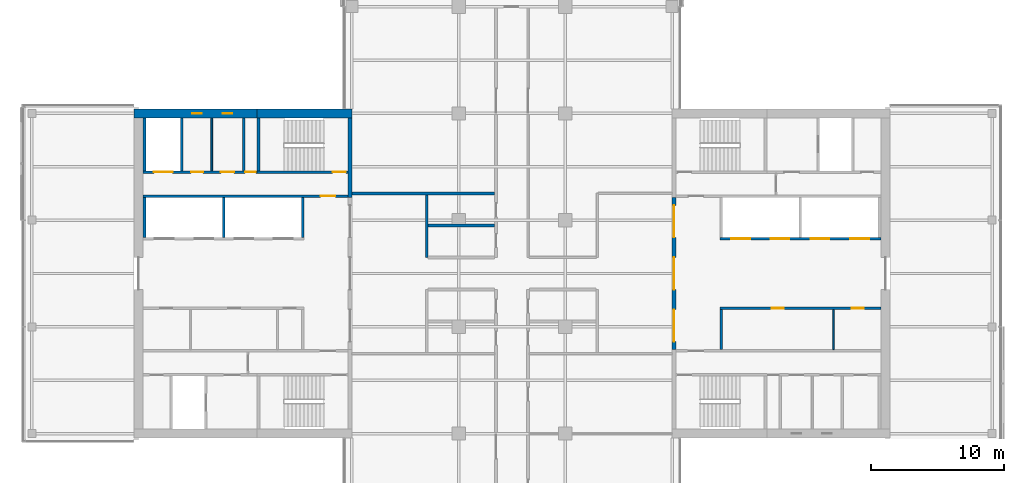
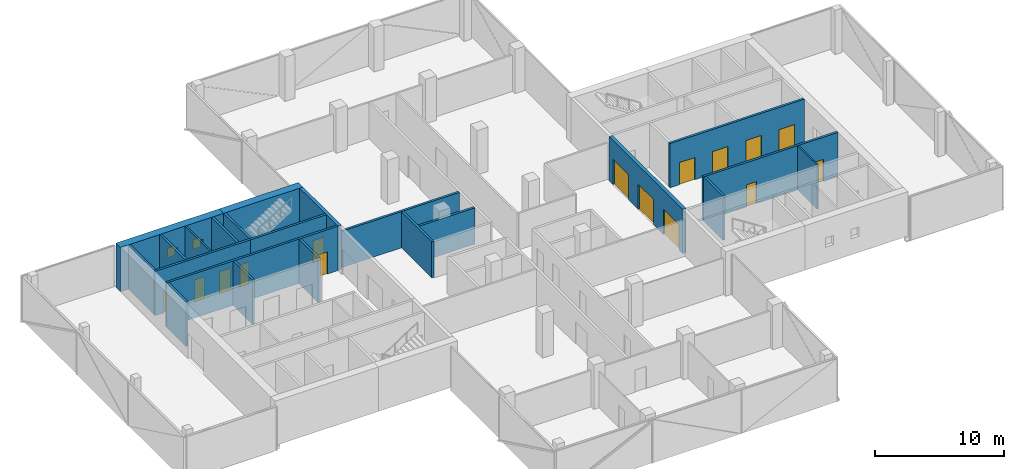
# One storey, part 15 of 22: 22 walls, 15 doors, 2 windows, 17 openings.
"""IFC4 building model written with IfcOpenShell, lengths in metres."""

from ifc_helpers import new_model, si_unit, direction, frame, frame_2d, origin, place, context, subcontext, project, spatial, rectangle, extrude, material, layer, layer_set, constituent, constituent_set, type_object, element, fill, save


model = new_model("IFC4")

# Units and contexts
model_context = context("Model", 3, precision=1e-05, world=origin(), true_north=direction((0.0, 1.0)))
body_context = subcontext(model_context, "Body", "Model", "MODEL_VIEW")
ifc_project = project(units=[si_unit("LENGTHUNIT", "METRE"), si_unit("AREAUNIT", "SQUARE_METRE"), si_unit("VOLUMEUNIT", "CUBIC_METRE"), si_unit("PLANEANGLEUNIT", "RADIAN"), si_unit("MASSUNIT", "GRAM", prefix="KILO")], contexts=[model_context])

# Site, building, storey
site_placement = place(None, origin())
site = spatial("IfcSite", under=ifc_project, at=site_placement, CompositionType="ELEMENT")
building_placement = place(site_placement, origin())
building = spatial("IfcBuilding", under=site, at=building_placement, Name="Crosswind Convention Tower", CompositionType="ELEMENT")
storey_placement = place(building_placement, frame((0.0, 0.0, 116.89990234375)))
storey = spatial("IfcBuildingStorey", under=building, at=storey_placement, Name="L23", CompositionType="ELEMENT", Elevation=116.89990234375)

# Walls
ifc_material_1 = material(Name="Concrete blockwork", Category="masonry")
ifc_layer_1 = layer(ifc_material_1, 0.199951171875)
ifc_layer_set_1 = layer_set([ifc_layer_1], Name="Blockwork partition wall 200")
wall_type_1 = type_object("IfcWallType", Name="Blockwork partition wall 200", PredefinedType="PARTITIONING", material=ifc_layer_set_1)
wall_1_placement = place(storey_placement, frame((104.89990234375, 111.64990234375, 0.0), z_axis=(0.0, 0.0, 1.0), x_axis=(0.0, -1.0, 0.0)))
element("IfcWall", 1, at=wall_1_placement, inside=storey, type_object=wall_type_1, Name="Wall MRSE W L23", PredefinedType="PARTITIONING", context=body_context, shape_type="SweptSolid", body=[
    extrude(rectangle(XDim=3.949951171875, YDim=0.199951171875, at=frame_2d((1.97509765625, 0.0))), origin(), (0.0, 0.0, 1.0), 4.2001953125),
])
ifc_layer_2 = layer(ifc_material_1, 0.199951171875)
ifc_layer_set_2 = layer_set([ifc_layer_2], Name="COMPARTMENT WALL 200 BLOCKWORK")
wall_type_2 = type_object("IfcWallType", Name="COMPARTMENT WALL 200 BLOCKWORK", PredefinedType="SOLIDWALL", material=ifc_layer_set_2)
wall_2_placement = place(storey_placement, frame((118.60009765625, 101.199951171875, 0.0), z_axis=(0.0, 0.0, 1.0), x_axis=(0.0, 1.0, 0.0)))
element("IfcWall", 2, at=wall_2_placement, inside=storey, type_object=wall_type_2, Name="Compartment wall WT42", PredefinedType="SOLIDWALL", context=body_context, shape_type="SweptSolid", body=[
    extrude(rectangle(XDim=4.699951171875, YDim=0.199951171875, at=frame_2d((2.35009765625, 0.0))), origin(), (0.0, 0.0, 1.0), 3.4365234375),
])
wall_3_placement = place(storey_placement, frame((118.699951171875, 103.60009765625, 0.0), z_axis=(0.0, 0.0, 1.0), x_axis=(1.0, 0.0, 0.0)))
element("IfcWall", 3, at=wall_3_placement, inside=storey, type_object=wall_type_2, Name="Compartment wall WT42", PredefinedType="SOLIDWALL", context=body_context, shape_type="SweptSolid", body=[
    extrude(rectangle(XDim=5.0, YDim=0.199951171875, at=frame_2d((2.5, 0.0))), origin(), (0.0, 0.0, 1.0), 3.4365234375),
])
wall_4_placement = place(storey_placement, frame((113.0, 106.0, 0.0), z_axis=(0.0, 0.0, 1.0), x_axis=(1.0, 0.0, 0.0)))
element("IfcWall", 4, at=wall_4_placement, inside=storey, type_object=wall_type_2, Name="Compartment wall WT42", PredefinedType="SOLIDWALL", context=body_context, shape_type="SweptSolid", body=[
    extrude(rectangle(XDim=10.699951171875, YDim=0.199951171875, at=frame_2d((5.35009765625, 0.0))), origin(), (0.0, 0.0, 1.0), 3.4365234375),
])

# Wall, openings, doors
ifc_material_2 = material(Name="Concrete C50/60", Category="concrete")
ifc_layer_3 = layer(ifc_material_2, 0.300048828125)
ifc_layer_set_3 = layer_set([ifc_layer_3], Name="Concrete C50/60")
wall_type_3 = type_object("IfcWallType", Name="Concrete inner core wall 300", PredefinedType="SHEAR", material=ifc_layer_set_3)
wall_5_placement = place(storey_placement, frame((137.14990234375, 94.300048828125, 0.0), z_axis=(0.0, 0.0, 1.0), x_axis=(0.0, 1.0, 0.0)))
wall_5 = element("IfcWall", 5, at=wall_5_placement, inside=storey, type_object=wall_type_3, Name="Wall SCR E L23", PredefinedType="SHEAR", context=body_context, shape_type="SweptSolid", body=[
    extrude(rectangle(XDim=11.39990234375, YDim=0.300048828125, at=frame_2d((5.699951171875, 0.0))), origin(), (0.0, 0.0, 1.0), 4.2001953125),
])
opening_1_placement = place(wall_5_placement, frame((0.60009765625, 0.0, 0.0)))
opening_1 = element("IfcOpeningElement", 6, at=opening_1_placement, cuts=wall_5, Name="Opening D100", PredefinedType="OPENING", context=body_context, shape_type="SweptSolid", body=[
    extrude(rectangle(XDim=2.39990234375, YDim=2.39990234375, at=frame_2d((1.199951171875, 1.199951171875))), frame((0.0, 0.159912109375, 0.0), z_axis=(0.0, -1.0, 0.0), x_axis=(1.0, 0.0, 0.0)), (0.0, 0.0, 1.0), 0.320068359375),
])
opening_2_placement = place(wall_5_placement, frame((4.5, 0.0, 0.0)))
opening_2 = element("IfcOpeningElement", 7, at=opening_2_placement, cuts=wall_5, Name="Opening D100", PredefinedType="OPENING", context=body_context, shape_type="SweptSolid", body=[
    extrude(rectangle(XDim=2.39990234375, YDim=2.39990234375, at=frame_2d((1.199951171875, 1.199951171875))), frame((0.0, 0.159912109375, 0.0), z_axis=(0.0, -1.0, 0.0), x_axis=(1.0, 0.0, 0.0)), (0.0, 0.0, 1.0), 0.320068359375),
])
opening_3_placement = place(wall_5_placement, frame((8.39990234375, 0.0, 0.0)))
opening_3 = element("IfcOpeningElement", 8, at=opening_3_placement, cuts=wall_5, Name="Opening D100", PredefinedType="OPENING", context=body_context, shape_type="SweptSolid", body=[
    extrude(rectangle(XDim=2.39990234375, YDim=2.39990234375, at=frame_2d((1.199951171875, 1.199951171875))), frame((0.0, 0.159912109375, 0.0), z_axis=(0.0, -1.0, 0.0), x_axis=(1.0, 0.0, 0.0)), (0.0, 0.0, 1.0), 0.320068359375),
])
ifc_material_3 = material(Name="Steel fire door with glazed vision panels", Category="steel")
door_type_1 = type_object("IfcDoorType", Name="Fire-rated double door 2400x2400", OperationType="DOUBLE_DOOR_SINGLE_SWING", PredefinedType="DOOR", material=ifc_material_3)
door_1_placement = place(opening_1_placement, origin())
door_1 = element("IfcDoor", 9, at=door_1_placement, inside=storey, type_object=door_type_1, Name="Lobby door 1 L23", ObjectType="D100", OperationType="DOUBLE_DOOR_SINGLE_SWING", OverallHeight=2.39990234375, OverallWidth=2.39990234375, PredefinedType="DOOR", context=body_context, shape_type="SweptSolid", body=[
    extrude(rectangle(XDim=2.39990234375, YDim=2.39990234375, at=frame_2d((1.199951171875, 1.199951171875))), frame((0.0, 0.02490234375, 0.0), z_axis=(0.0, -1.0, 0.0), x_axis=(1.0, 0.0, 0.0)), (0.0, 0.0, 1.0), 0.050048828125),
])
fill(opening_1, door_1)
door_2_placement = place(opening_2_placement, origin())
door_2 = element("IfcDoor", 10, at=door_2_placement, inside=storey, type_object=door_type_1, Name="Lobby door 2 L23", ObjectType="D100", OperationType="DOUBLE_DOOR_SINGLE_SWING", OverallHeight=2.39990234375, OverallWidth=2.39990234375, PredefinedType="DOOR", context=body_context, shape_type="SweptSolid", body=[
    extrude(rectangle(XDim=2.39990234375, YDim=2.39990234375, at=frame_2d((1.199951171875, 1.199951171875))), frame((0.0, 0.02490234375, 0.0), z_axis=(0.0, -1.0, 0.0), x_axis=(1.0, 0.0, 0.0)), (0.0, 0.0, 1.0), 0.050048828125),
])
fill(opening_2, door_2)
door_3_placement = place(opening_3_placement, origin())
door_3 = element("IfcDoor", 11, at=door_3_placement, inside=storey, type_object=door_type_1, Name="Lobby door 3 L23", ObjectType="D100", OperationType="DOUBLE_DOOR_SINGLE_SWING", OverallHeight=2.39990234375, OverallWidth=2.39990234375, PredefinedType="DOOR", context=body_context, shape_type="SweptSolid", body=[
    extrude(rectangle(XDim=2.39990234375, YDim=2.39990234375, at=frame_2d((1.199951171875, 1.199951171875))), frame((0.0, 0.02490234375, 0.0), z_axis=(0.0, -1.0, 0.0), x_axis=(1.0, 0.0, 0.0)), (0.0, 0.0, 1.0), 0.050048828125),
])
fill(opening_3, door_3)

# Wall
wall_6_placement = place(storey_placement, frame((112.85009765625, 111.64990234375, 0.0), z_axis=(0.0, 0.0, 1.0), x_axis=(0.0, -1.0, 0.0)))
element("IfcWall", 12, at=wall_6_placement, inside=storey, type_object=wall_type_3, Name="Wall EM W L23", PredefinedType="SHEAR", context=body_context, shape_type="SweptSolid", body=[
    extrude(rectangle(XDim=5.949951171875, YDim=0.300048828125, at=frame_2d((2.97509765625, 0.0))), origin(), (0.0, 0.0, 1.0), 4.2001953125),
])

# Wall, openings, doors
ifc_layer_4 = layer(ifc_material_2, 0.199951171875)
ifc_layer_set_4 = layer_set([ifc_layer_4], Name="Concrete C50/60")
wall_type_4 = type_object("IfcWallType", Name="Concrete shaft and stair wall 200", PredefinedType="SHEAR", material=ifc_layer_set_4)
wall_7_placement = place(storey_placement, frame((140.60009765625, 102.60009765625, 0.0), z_axis=(0.0, 0.0, 1.0), x_axis=(1.0, 0.0, 0.0)))
wall_7 = element("IfcWall", 13, at=wall_7_placement, inside=storey, type_object=wall_type_4, Name="Wall RPFRONT E L23", PredefinedType="SHEAR", context=body_context, shape_type="SweptSolid", body=[
    extrude(rectangle(XDim=12.0498046875, YDim=0.199951171875, at=frame_2d((6.02490234375, 0.0))), origin(), (0.0, 0.0, 1.0), 4.2001953125),
])
opening_4_placement = place(wall_7_placement, frame((0.85009765625, 0.0, 0.0)))
opening_4 = element("IfcOpeningElement", 14, at=opening_4_placement, cuts=wall_7, Name="Opening LD2", PredefinedType="OPENING", context=body_context, shape_type="SweptSolid", body=[
    extrude(rectangle(XDim=1.39990234375, YDim=2.10009765625, at=frame_2d((0.699951171875, 1.050048828125))), frame((0.0, 0.10986328125, 0.0), z_axis=(0.0, -1.0, 0.0), x_axis=(1.0, 0.0, 0.0)), (0.0, 0.0, 1.0), 0.219970703125),
])
opening_5_placement = place(wall_7_placement, frame((3.800048828125, 0.0, 0.0)))
opening_5 = element("IfcOpeningElement", 15, at=opening_5_placement, cuts=wall_7, Name="Opening LD2", PredefinedType="OPENING", context=body_context, shape_type="SweptSolid", body=[
    extrude(rectangle(XDim=1.39990234375, YDim=2.10009765625, at=frame_2d((0.699951171875, 1.050048828125))), frame((0.0, 0.10986328125, 0.0), z_axis=(0.0, -1.0, 0.0), x_axis=(1.0, 0.0, 0.0)), (0.0, 0.0, 1.0), 0.219970703125),
])
opening_6_placement = place(wall_7_placement, frame((6.800048828125, 0.0, 0.0)))
opening_6 = element("IfcOpeningElement", 16, at=opening_6_placement, cuts=wall_7, Name="Opening LD2", PredefinedType="OPENING", context=body_context, shape_type="SweptSolid", body=[
    extrude(rectangle(XDim=1.39990234375, YDim=2.10009765625, at=frame_2d((0.699951171875, 1.050048828125))), frame((0.0, 0.10986328125, 0.0), z_axis=(0.0, -1.0, 0.0), x_axis=(1.0, 0.0, 0.0)), (0.0, 0.0, 1.0), 0.219970703125),
])
opening_7_placement = place(wall_7_placement, frame((9.77490234375, 0.0, 0.0)))
opening_7 = element("IfcOpeningElement", 17, at=opening_7_placement, cuts=wall_7, Name="Opening LD2", PredefinedType="OPENING", context=body_context, shape_type="SweptSolid", body=[
    extrude(rectangle(XDim=1.39990234375, YDim=2.10009765625, at=frame_2d((0.699951171875, 1.050048828125))), frame((0.0, 0.10986328125, 0.0), z_axis=(0.0, -1.0, 0.0), x_axis=(1.0, 0.0, 0.0)), (0.0, 0.0, 1.0), 0.219970703125),
])
ifc_material_4 = material(Name="Stainless steel", Category="steel")
door_type_2 = type_object("IfcDoorType", Name="Lift landing door 1400x2100", OperationType="DOUBLE_DOOR_SLIDING", PredefinedType="DOOR", material=ifc_material_4)
door_4_placement = place(opening_4_placement, origin())
door_4 = element("IfcDoor", 18, at=door_4_placement, inside=storey, type_object=door_type_2, Name="Landing door A1 L23", ObjectType="LD2", OperationType="DOUBLE_DOOR_SLIDING", OverallHeight=2.10009765625, OverallWidth=1.39990234375, PredefinedType="DOOR", context=body_context, shape_type="SweptSolid", body=[
    extrude(rectangle(XDim=1.39990234375, YDim=2.10009765625, at=frame_2d((0.699951171875, 1.050048828125))), frame((0.0, 0.02490234375, 0.0), z_axis=(0.0, -1.0, 0.0), x_axis=(1.0, 0.0, 0.0)), (0.0, 0.0, 1.0), 0.050048828125),
])
fill(opening_4, door_4)
door_5_placement = place(opening_5_placement, origin())
door_5 = element("IfcDoor", 19, at=door_5_placement, inside=storey, type_object=door_type_2, Name="Landing door A2 L23", ObjectType="LD2", OperationType="DOUBLE_DOOR_SLIDING", OverallHeight=2.10009765625, OverallWidth=1.39990234375, PredefinedType="DOOR", context=body_context, shape_type="SweptSolid", body=[
    extrude(rectangle(XDim=1.39990234375, YDim=2.10009765625, at=frame_2d((0.699951171875, 1.050048828125))), frame((0.0, 0.02490234375, 0.0), z_axis=(0.0, -1.0, 0.0), x_axis=(1.0, 0.0, 0.0)), (0.0, 0.0, 1.0), 0.050048828125),
])
fill(opening_5, door_5)
door_6_placement = place(opening_6_placement, origin())
door_6 = element("IfcDoor", 20, at=door_6_placement, inside=storey, type_object=door_type_2, Name="Landing door A3 L23", ObjectType="LD2", OperationType="DOUBLE_DOOR_SLIDING", OverallHeight=2.10009765625, OverallWidth=1.39990234375, PredefinedType="DOOR", context=body_context, shape_type="SweptSolid", body=[
    extrude(rectangle(XDim=1.39990234375, YDim=2.10009765625, at=frame_2d((0.699951171875, 1.050048828125))), frame((0.0, 0.02490234375, 0.0), z_axis=(0.0, -1.0, 0.0), x_axis=(1.0, 0.0, 0.0)), (0.0, 0.0, 1.0), 0.050048828125),
])
fill(opening_6, door_6)
door_7_placement = place(opening_7_placement, origin())
door_7 = element("IfcDoor", 21, at=door_7_placement, inside=storey, type_object=door_type_2, Name="Landing door A4 L23", ObjectType="LD2", OperationType="DOUBLE_DOOR_SLIDING", OverallHeight=2.10009765625, OverallWidth=1.39990234375, PredefinedType="DOOR", context=body_context, shape_type="SweptSolid", body=[
    extrude(rectangle(XDim=1.39990234375, YDim=2.10009765625, at=frame_2d((0.699951171875, 1.050048828125))), frame((0.0, 0.02490234375, 0.0), z_axis=(0.0, -1.0, 0.0), x_axis=(1.0, 0.0, 0.0)), (0.0, 0.0, 1.0), 0.050048828125),
])
fill(opening_7, door_7)

# Wall
wall_8_placement = place(storey_placement, frame((140.699951171875, 94.300048828125, 0.0), z_axis=(0.0, 0.0, 1.0), x_axis=(0.0, 1.0, 0.0)))
element("IfcWall", 22, at=wall_8_placement, inside=storey, type_object=wall_type_4, Name="Wall RMEND E L23", PredefinedType="SHEAR", context=body_context, shape_type="SweptSolid", body=[
    extrude(rectangle(XDim=3.0, YDim=0.199951171875, at=frame_2d((1.5, 0.0))), origin(), (0.0, 0.0, 1.0), 4.2001953125),
])

# Wall, openings, doors
wall_9_placement = place(storey_placement, frame((140.60009765625, 97.39990234375, 0.0), z_axis=(0.0, 0.0, 1.0), x_axis=(1.0, 0.0, 0.0)))
wall_9 = element("IfcWall", 23, at=wall_9_placement, inside=storey, type_object=wall_type_4, Name="Wall RMFRONT E L23", PredefinedType="SHEAR", context=body_context, shape_type="SweptSolid", body=[
    extrude(rectangle(XDim=12.0498046875, YDim=0.199951171875, at=frame_2d((6.02490234375, 0.0))), origin(), (0.0, 0.0, 1.0), 4.2001953125),
])
opening_8_placement = place(wall_9_placement, frame((3.8662109375, 0.0, 0.0)))
opening_8 = element("IfcOpeningElement", 24, at=opening_8_placement, cuts=wall_9, Name="Opening D106", PredefinedType="OPENING", context=body_context, shape_type="SweptSolid", body=[
    extrude(rectangle(XDim=0.89990234375, YDim=2.10009765625, at=frame_2d((0.449951171875, 1.050048828125))), frame((0.0, 0.10986328125, 0.0), z_axis=(0.0, -1.0, 0.0), x_axis=(1.0, 0.0, 0.0)), (0.0, 0.0, 1.0), 0.219970703125),
])
opening_9_placement = place(wall_9_placement, frame((9.853759765625, 0.0, 0.0)))
opening_9 = element("IfcOpeningElement", 25, at=opening_9_placement, cuts=wall_9, Name="Opening D106", PredefinedType="OPENING", context=body_context, shape_type="SweptSolid", body=[
    extrude(rectangle(XDim=0.89990234375, YDim=2.10009765625, at=frame_2d((0.449951171875, 1.050048828125))), frame((0.0, 0.10986328125, 0.0), z_axis=(0.0, -1.0, 0.0), x_axis=(1.0, 0.0, 0.0)), (0.0, 0.0, 1.0), 0.219970703125),
])
ifc_material_5 = material(Name="Timber door", Category="wood")
door_type_3 = type_object("IfcDoorType", Name="Single leaf door 900x2100", OperationType="NOTDEFINED", PredefinedType="DOOR", material=ifc_material_5)
door_8_placement = place(opening_8_placement, frame((0.89990234375, 0.0, 0.0), z_axis=(0.0, 0.0, 1.0), x_axis=(-1.0, 0.0, 0.0)))
door_8 = element("IfcDoor", 26, at=door_8_placement, inside=storey, type_object=door_type_3, Name="Door to pantry L23", ObjectType="D106", OperationType="SINGLE_SWING_LEFT", OverallHeight=2.10009765625, OverallWidth=0.89990234375, PredefinedType="DOOR", context=body_context, shape_type="SweptSolid", body=[
    extrude(rectangle(XDim=0.89990234375, YDim=2.10009765625, at=frame_2d((0.449951171875, 1.050048828125))), frame((0.0, 0.02490234375, 0.0), z_axis=(0.0, -1.0, 0.0), x_axis=(1.0, 0.0, 0.0)), (0.0, 0.0, 1.0), 0.050048828125),
])
fill(opening_8, door_8)
door_9_placement = place(opening_9_placement, frame((0.89990234375, 0.0, 0.0), z_axis=(0.0, 0.0, 1.0), x_axis=(-1.0, 0.0, 0.0)))
door_9 = element("IfcDoor", 27, at=door_9_placement, inside=storey, type_object=door_type_3, Name="Door to telecoms room L23", ObjectType="D106", OperationType="SINGLE_SWING_LEFT", OverallHeight=2.10009765625, OverallWidth=0.89990234375, PredefinedType="DOOR", context=body_context, shape_type="SweptSolid", body=[
    extrude(rectangle(XDim=0.89990234375, YDim=2.10009765625, at=frame_2d((0.449951171875, 1.050048828125))), frame((0.0, 0.02490234375, 0.0), z_axis=(0.0, -1.0, 0.0), x_axis=(1.0, 0.0, 0.0)), (0.0, 0.0, 1.0), 0.050048828125),
])
fill(opening_9, door_9)

# Walls
for number, where, z_axis, x_axis, name in (
    (28, (109.300048828125, 105.699951171875, 0.0), (0.0, 0.0, 1.0), (0.0, -1.0, 0.0), "Wall RMEND W L23"),
    (29, (103.39990234375, 105.699951171875, 0.0), (0.0, 0.0, 1.0), (0.0, -1.0, 0.0), "Wall RMSEP W L23"),
    (30, (97.449951171875, 105.699951171875, 0.0), (0.0, 0.0, 1.0), (0.0, -1.0, 0.0), "Wall RMEAST W L23"),
):
    element("IfcWall", number, at=place(storey_placement, frame(where, z_axis=z_axis, x_axis=x_axis)), inside=storey, type_object=wall_type_4, Name=name, PredefinedType="SHEAR", context=body_context, shape_type="SweptSolid", body=[
        extrude(rectangle(XDim=3.0, YDim=0.199951171875, at=frame_2d((1.5, 0.0))), origin(), (0.0, 0.0, 1.0), 4.2001953125),
    ])

# Wall, opening, door
wall_10_placement = place(storey_placement, frame((112.699951171875, 105.800048828125, 0.0), z_axis=(0.0, 0.0, 1.0), x_axis=(-1.0, 0.0, 0.0)))
wall_10 = element("IfcWall", 31, at=wall_10_placement, inside=storey, type_object=wall_type_4, Name="Wall HM W L23", PredefinedType="SHEAR", context=body_context, shape_type="SweptSolid", body=[
    extrude(rectangle(XDim=15.349853515625, YDim=0.199951171875, at=frame_2d((7.6748046875, 0.0))), origin(), (0.0, 0.0, 1.0), 4.2001953125),
])
opening_10_placement = place(wall_10_placement, frame((0.949951171875, 0.0, 0.0)))
opening_10 = element("IfcOpeningElement", 32, at=opening_10_placement, cuts=wall_10, Name="Opening D104", PredefinedType="OPENING", context=body_context, shape_type="SweptSolid", body=[
    extrude(rectangle(XDim=1.10009765625, YDim=2.10009765625, at=frame_2d((0.550048828125, 1.050048828125))), frame((0.0, 0.10986328125, 0.0), z_axis=(0.0, -1.0, 0.0), x_axis=(1.0, 0.0, 0.0)), (0.0, 0.0, 1.0), 0.219970703125),
])
ifc_material_6 = material(Name="Steel fire door", Category="steel")
door_type_4 = type_object("IfcDoorType", Name="Fire-rated single door 1100x2100", OperationType="NOTDEFINED", PredefinedType="DOOR", material=ifc_material_6)
door_10_placement = place(opening_10_placement, origin())
door_10 = element("IfcDoor", 33, at=door_10_placement, inside=storey, type_object=door_type_4, Name="Corridor door L23", ObjectType="D104", OperationType="SINGLE_SWING_LEFT", OverallHeight=2.10009765625, OverallWidth=1.10009765625, PredefinedType="DOOR", context=body_context, shape_type="SweptSolid", body=[
    extrude(rectangle(XDim=1.10009765625, YDim=2.10009765625, at=frame_2d((0.550048828125, 1.050048828125))), frame((0.0, 0.02490234375, 0.0), z_axis=(0.0, -1.0, 0.0), x_axis=(1.0, 0.0, 0.0)), (0.0, 0.0, 1.0), 0.050048828125),
])
fill(opening_10, door_10)

# Walls
for number, where, z_axis, x_axis, name in (
    (34, (106.0, 111.64990234375, 0.0), (0.0, 0.0, 1.0), (0.0, -1.0, 0.0), "Wall MSE W L23"),
    (35, (100.25, 111.64990234375, 0.0), (0.0, 0.0, 1.0), (0.0, -1.0, 0.0), "Wall MFSW W L23"),
    (36, (97.449951171875, 111.64990234375, 0.0), (0.0, 0.0, 1.0), (0.0, -1.0, 0.0), "Wall MFSE W L23"),
):
    element("IfcWall", number, at=place(storey_placement, frame(where, z_axis=z_axis, x_axis=x_axis)), inside=storey, type_object=wall_type_4, Name=name, PredefinedType="SHEAR", context=body_context, shape_type="SweptSolid", body=[
        extrude(rectangle(XDim=3.949951171875, YDim=0.199951171875, at=frame_2d((1.97509765625, 0.0))), origin(), (0.0, 0.0, 1.0), 4.2001953125),
    ])

# Wall, opening, door
wall_11_placement = place(storey_placement, frame((112.699951171875, 107.60009765625, 0.0), z_axis=(0.0, 0.0, 1.0), x_axis=(-1.0, 0.0, 0.0)))
wall_11 = element("IfcWall", 37, at=wall_11_placement, inside=storey, type_object=wall_type_4, Name="Wall MCW W L23", PredefinedType="SHEAR", context=body_context, shape_type="SweptSolid", body=[
    extrude(rectangle(XDim=6.800048828125, YDim=0.199951171875, at=frame_2d((3.39990234375, 0.0))), origin(), (0.0, 0.0, 1.0), 4.2001953125),
])
opening_11_placement = place(wall_11_placement, frame((0.14990234375, 0.0, 0.0)))
opening_11 = element("IfcOpeningElement", 38, at=opening_11_placement, cuts=wall_11, Name="Opening D103", PredefinedType="OPENING", context=body_context, shape_type="SweptSolid", body=[
    extrude(rectangle(XDim=1.0, YDim=2.10009765625, at=frame_2d((0.5, 1.050048828125))), frame((0.0, 0.10986328125, 0.0), z_axis=(0.0, -1.0, 0.0), x_axis=(1.0, 0.0, 0.0)), (0.0, 0.0, 1.0), 0.219970703125),
])
door_type_5 = type_object("IfcDoorType", Name="Fire-rated single door 1000x2100", OperationType="NOTDEFINED", PredefinedType="DOOR", material=ifc_material_6)
door_11_placement = place(opening_11_placement, frame((1.0, 0.0, 0.0), z_axis=(0.0, 0.0, 1.0), x_axis=(-1.0, 0.0, 0.0)))
door_11 = element("IfcDoor", 39, at=door_11_placement, inside=storey, type_object=door_type_5, Name="Stair ST4 door L23", ObjectType="D103", OperationType="SINGLE_SWING_RIGHT", OverallHeight=2.10009765625, OverallWidth=1.0, PredefinedType="DOOR", context=body_context, shape_type="SweptSolid", body=[
    extrude(rectangle(XDim=1.0, YDim=2.10009765625, at=frame_2d((0.5, 1.050048828125))), frame((0.0, 0.02490234375, 0.0), z_axis=(0.0, -1.0, 0.0), x_axis=(1.0, 0.0, 0.0)), (0.0, 0.0, 1.0), 0.050048828125),
])
fill(opening_11, door_11)

# Wall, openings, doors
wall_12_placement = place(storey_placement, frame((105.89990234375, 107.60009765625, 0.0), z_axis=(0.0, 0.0, 1.0), x_axis=(-1.0, 0.0, 0.0)))
wall_12 = element("IfcWall", 40, at=wall_12_placement, inside=storey, type_object=wall_type_4, Name="Wall MCX W L23", PredefinedType="SHEAR", context=body_context, shape_type="SweptSolid", body=[
    extrude(rectangle(XDim=8.5498046875, YDim=0.199951171875, at=frame_2d((4.27490234375, 0.0))), origin(), (0.0, 0.0, 1.0), 4.2001953125),
])
opening_12_placement = place(wall_12_placement, frame((0.10009765625, 0.0, 0.0)))
opening_12 = element("IfcOpeningElement", 41, at=opening_12_placement, cuts=wall_12, Name="Opening D105", PredefinedType="OPENING", context=body_context, shape_type="SweptSolid", body=[
    extrude(rectangle(XDim=0.800048828125, YDim=2.10009765625, at=frame_2d((0.39990234375, 1.050048828125))), frame((0.0, 0.10986328125, 0.0), z_axis=(0.0, -1.0, 0.0), x_axis=(1.0, 0.0, 0.0)), (0.0, 0.0, 1.0), 0.219970703125),
])
opening_13_placement = place(wall_12_placement, frame((1.725830078125, 0.0, 0.0)))
opening_13 = element("IfcOpeningElement", 42, at=opening_13_placement, cuts=wall_12, Name="Opening D103", PredefinedType="OPENING", context=body_context, shape_type="SweptSolid", body=[
    extrude(rectangle(XDim=1.0, YDim=2.10009765625, at=frame_2d((0.5, 1.050048828125))), frame((0.0, 0.10986328125, 0.0), z_axis=(0.0, -1.0, 0.0), x_axis=(1.0, 0.0, 0.0)), (0.0, 0.0, 1.0), 0.219970703125),
])
opening_14_placement = place(wall_12_placement, frame((4.063232421875, 0.0, 0.0)))
opening_14 = element("IfcOpeningElement", 43, at=opening_14_placement, cuts=wall_12, Name="Opening D106", PredefinedType="OPENING", context=body_context, shape_type="SweptSolid", body=[
    extrude(rectangle(XDim=0.89990234375, YDim=2.10009765625, at=frame_2d((0.449951171875, 1.050048828125))), frame((0.0, 0.10986328125, 0.0), z_axis=(0.0, -1.0, 0.0), x_axis=(1.0, 0.0, 0.0)), (0.0, 0.0, 1.0), 0.219970703125),
])
opening_15_placement = place(wall_12_placement, frame((6.35009765625, 0.0, 0.0)))
opening_15 = element("IfcOpeningElement", 44, at=opening_15_placement, cuts=wall_12, Name="Opening LD2", PredefinedType="OPENING", context=body_context, shape_type="SweptSolid", body=[
    extrude(rectangle(XDim=1.39990234375, YDim=2.10009765625, at=frame_2d((0.699951171875, 1.050048828125))), frame((0.0, 0.10986328125, 0.0), z_axis=(0.0, -1.0, 0.0), x_axis=(1.0, 0.0, 0.0)), (0.0, 0.0, 1.0), 0.219970703125),
])
door_12_placement = place(opening_13_placement, frame((1.0, 0.0, 0.0), z_axis=(0.0, 0.0, 1.0), x_axis=(-1.0, 0.0, 0.0)))
door_12 = element("IfcDoor", 45, at=door_12_placement, inside=storey, type_object=door_type_5, Name="Door to accessible wc L23", ObjectType="D103", OperationType="SINGLE_SWING_LEFT", OverallHeight=2.10009765625, OverallWidth=1.0, PredefinedType="DOOR", context=body_context, shape_type="SweptSolid", body=[
    extrude(rectangle(XDim=1.0, YDim=2.10009765625, at=frame_2d((0.5, 1.050048828125))), frame((0.0, 0.02490234375, 0.0), z_axis=(0.0, -1.0, 0.0), x_axis=(1.0, 0.0, 0.0)), (0.0, 0.0, 1.0), 0.050048828125),
])
fill(opening_13, door_12)
door_13_placement = place(opening_15_placement, origin())
door_13 = element("IfcDoor", 46, at=door_13_placement, inside=storey, type_object=door_type_2, Name="Landing door SV2 L23", ObjectType="LD2", OperationType="DOUBLE_DOOR_SLIDING", OverallHeight=2.10009765625, OverallWidth=1.39990234375, PredefinedType="DOOR", context=body_context, shape_type="SweptSolid", body=[
    extrude(rectangle(XDim=1.39990234375, YDim=2.10009765625, at=frame_2d((0.699951171875, 1.050048828125))), frame((0.0, 0.02490234375, 0.0), z_axis=(0.0, -1.0, 0.0), x_axis=(1.0, 0.0, 0.0)), (0.0, 0.0, 1.0), 0.050048828125),
])
fill(opening_15, door_13)
door_type_6 = type_object("IfcDoorType", Name="Riser access door 800x2100", OperationType="NOTDEFINED", PredefinedType="DOOR", material=ifc_material_6)
door_14_placement = place(opening_12_placement, frame((0.800048828125, 0.0, 0.0), z_axis=(0.0, 0.0, 1.0), x_axis=(-1.0, 0.0, 0.0)))
door_14 = element("IfcDoor", 47, at=door_14_placement, inside=storey, type_object=door_type_6, Name="Riser door L23", ObjectType="D105", OperationType="SINGLE_SWING_LEFT", OverallHeight=2.10009765625, OverallWidth=0.800048828125, PredefinedType="DOOR", context=body_context, shape_type="SweptSolid", body=[
    extrude(rectangle(XDim=0.800048828125, YDim=2.10009765625, at=frame_2d((0.39990234375, 1.050048828125))), frame((0.0, 0.02490234375, 0.0), z_axis=(0.0, -1.0, 0.0), x_axis=(1.0, 0.0, 0.0)), (0.0, 0.0, 1.0), 0.050048828125),
])
fill(opening_12, door_14)
door_15_placement = place(opening_14_placement, frame((0.89990234375, 0.0, 0.0), z_axis=(0.0, 0.0, 1.0), x_axis=(-1.0, 0.0, 0.0)))
door_15 = element("IfcDoor", 48, at=door_15_placement, inside=storey, type_object=door_type_3, Name="Door to wc L23", ObjectType="D106", OperationType="SINGLE_SWING_LEFT", OverallHeight=2.10009765625, OverallWidth=0.89990234375, PredefinedType="DOOR", context=body_context, shape_type="SweptSolid", body=[
    extrude(rectangle(XDim=0.89990234375, YDim=2.10009765625, at=frame_2d((0.449951171875, 1.050048828125))), frame((0.0, 0.02490234375, 0.0), z_axis=(0.0, -1.0, 0.0), x_axis=(1.0, 0.0, 0.0)), (0.0, 0.0, 1.0), 0.050048828125),
])
fill(opening_14, door_15)

# Walls
ifc_material_7 = material(Name="Gypsum plasterboard partition", Category="gypsum")
ifc_layer_5 = layer(ifc_material_7, 0.125)
ifc_layer_set_5 = layer_set([ifc_layer_5], Name="Drywall partition wall 125")
wall_type_5 = type_object("IfcWallType", Name="Drywall partition wall 125", PredefinedType="PARTITIONING", material=ifc_layer_set_5)
wall_13_placement = place(storey_placement, frame((149.094970703125, 94.300048828125, 0.0), z_axis=(0.0, 0.0, 1.0), x_axis=(0.0, 1.0, 0.0)))
element("IfcWall", 49, at=wall_13_placement, inside=storey, type_object=wall_type_5, Name="Wall RMP1 E L23", PredefinedType="PARTITIONING", context=body_context, shape_type="SweptSolid", body=[
    extrude(rectangle(XDim=3.0, YDim=0.125, at=frame_2d((1.5, 0.0))), origin(), (0.0, 0.0, 1.0), 4.2001953125),
])
wall_14_placement = place(storey_placement, frame((102.486083984375, 111.64990234375, 0.0), z_axis=(0.0, 0.0, 1.0), x_axis=(0.0, -1.0, 0.0)))
element("IfcWall", 50, at=wall_14_placement, inside=storey, type_object=wall_type_5, Name="Wall MWP1 W L23", PredefinedType="PARTITIONING", context=body_context, shape_type="SweptSolid", body=[
    extrude(rectangle(XDim=3.949951171875, YDim=0.125, at=frame_2d((1.97509765625, 0.0))), origin(), (0.0, 0.0, 1.0), 4.2001953125),
])
ifc_material_8 = material(Name="Concrete C60/75", Category="concrete")
ifc_constituent_1 = constituent(ifc_material_8, Name="Structure")
ifc_material_9 = material(Name="Terracotta rainscreen", Category="ceramic")
ifc_constituent_2 = constituent(ifc_material_9, Name="Facing")
ifc_constituent_set = constituent_set(constituents=[ifc_constituent_1, ifc_constituent_2], Name="Concrete C60/75, Terracotta rainscreen")
wall_type_6 = type_object("IfcWallType", Name="Terracotta rainscreen on concrete core wall 700", PredefinedType="SHEAR", material=ifc_constituent_set)
wall_15_placement = place(storey_placement, frame((113.0, 112.0, 0.0), z_axis=(0.0, 0.0, 1.0), x_axis=(-1.0, 0.0, 0.0)))
element("IfcWall", 51, at=wall_15_placement, inside=storey, type_object=wall_type_6, Name="Wall S1 W L23", PredefinedType="SHEAR", context=body_context, shape_type="SweptSolid", body=[
    extrude(rectangle(XDim=7.10009765625, YDim=0.699951171875, at=frame_2d((3.550048828125, 0.0))), origin(), (0.0, 0.0, 1.0), 4.2001953125),
])

# Wall, openings, windows
wall_16_placement = place(storey_placement, frame((105.89990234375, 112.0, 0.0), z_axis=(0.0, 0.0, 1.0), x_axis=(-1.0, 0.0, 0.0)))
wall_16 = element("IfcWall", 52, at=wall_16_placement, inside=storey, type_object=wall_type_6, Name="Wall S2 W L23", PredefinedType="SHEAR", context=body_context, shape_type="SweptSolid", body=[
    extrude(rectangle(XDim=9.25, YDim=0.699951171875, at=frame_2d((4.625, 0.0))), origin(), (0.0, 0.0, 1.0), 4.2001953125),
])
opening_16_placement = place(wall_16_placement, frame((1.875732421875, 0.0, 1.5)))
opening_16 = element("IfcOpeningElement", 53, at=opening_16_placement, cuts=wall_16, Name="Opening W2", PredefinedType="OPENING", context=body_context, shape_type="SweptSolid", body=[
    extrude(rectangle(XDim=0.699951171875, YDim=0.89990234375, at=frame_2d((0.35009765625, 0.449951171875))), frame((0.0, 0.35986328125, 0.0), z_axis=(0.0, -1.0, 0.0), x_axis=(1.0, 0.0, 0.0)), (0.0, 0.0, 1.0), 0.719970703125),
])
opening_17_placement = place(wall_16_placement, frame((4.163330078125, 0.0, 1.5)))
opening_17 = element("IfcOpeningElement", 54, at=opening_17_placement, cuts=wall_16, Name="Opening W2", PredefinedType="OPENING", context=body_context, shape_type="SweptSolid", body=[
    extrude(rectangle(XDim=0.699951171875, YDim=0.89990234375, at=frame_2d((0.35009765625, 0.449951171875))), frame((0.0, 0.35986328125, 0.0), z_axis=(0.0, -1.0, 0.0), x_axis=(1.0, 0.0, 0.0)), (0.0, 0.0, 1.0), 0.719970703125),
])
ifc_material_10 = material(Name="Obscure glass in aluminium frame", Category="aluminium")
window_type = type_object("IfcWindowType", Name="WC window 700x900", PartitioningType="SINGLE_PANEL", PredefinedType="WINDOW", material=ifc_material_10)
window_1_placement = place(opening_16_placement, origin())
window_1 = element("IfcWindow", 55, at=window_1_placement, inside=storey, type_object=window_type, Name="WC window L23", ObjectType="W2", OverallHeight=0.89990234375, OverallWidth=0.699951171875, PartitioningType="SINGLE_PANEL", PredefinedType="WINDOW", context=body_context, shape_type="SweptSolid", body=[
    extrude(rectangle(XDim=0.699951171875, YDim=0.89990234375, at=frame_2d((0.35009765625, 0.449951171875))), frame((0.0, 0.030029296875, 0.0), z_axis=(0.0, -1.0, 0.0), x_axis=(1.0, 0.0, 0.0)), (0.0, 0.0, 1.0), 0.06005859375),
])
fill(opening_16, window_1)
window_2_placement = place(opening_17_placement, origin())
window_2 = element("IfcWindow", 56, at=window_2_placement, inside=storey, type_object=window_type, Name="WC window L23", ObjectType="W2", OverallHeight=0.89990234375, OverallWidth=0.699951171875, PartitioningType="SINGLE_PANEL", PredefinedType="WINDOW", context=body_context, shape_type="SweptSolid", body=[
    extrude(rectangle(XDim=0.699951171875, YDim=0.89990234375, at=frame_2d((0.35009765625, 0.449951171875))), frame((0.0, 0.030029296875, 0.0), z_axis=(0.0, -1.0, 0.0), x_axis=(1.0, 0.0, 0.0)), (0.0, 0.0, 1.0), 0.06005859375),
])
fill(opening_17, window_2)

save(model, "model.ifc")
